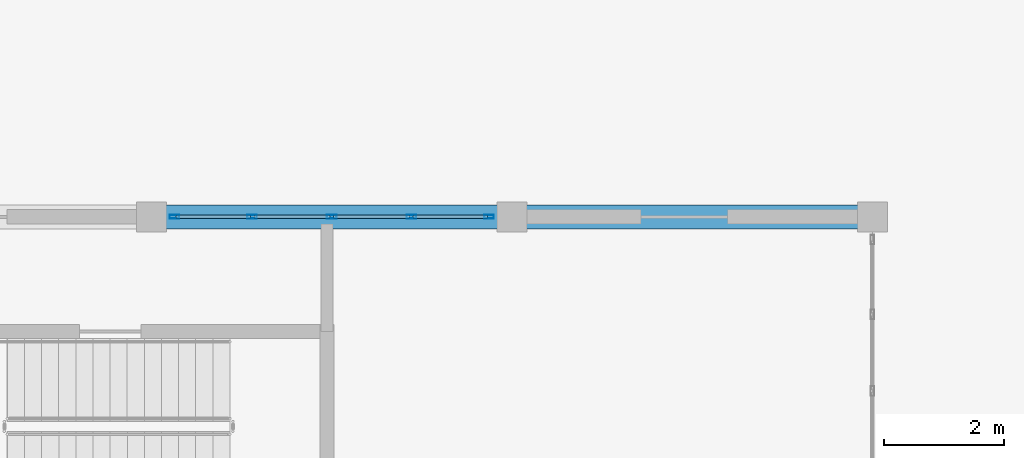
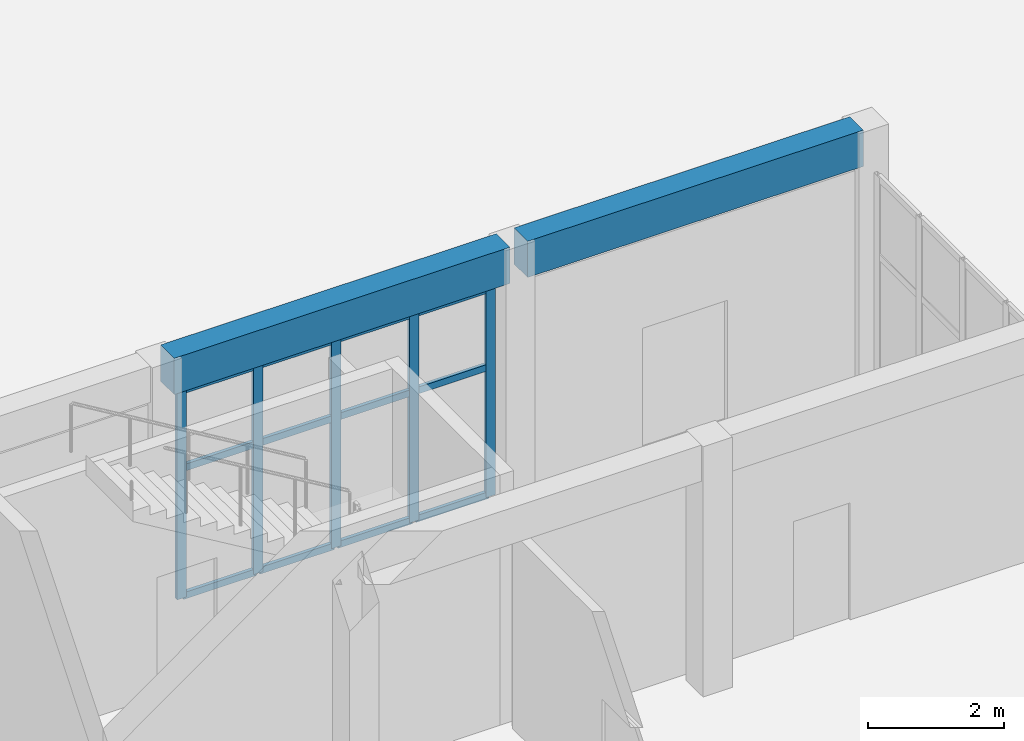
# One storey, part 26 of 132: 17 members, 2 beams, 1 element without a shape of its own.
"""IFC4 building model written with IfcOpenShell, lengths in metres."""

from ifc_helpers import new_model, si_unit, direction, frame, origin, origin_2d, place, context, subcontext, project, spatial, rectangle, hollow_rectangle, extrude, material, material_profile, profile_set, type_object, element, aggregate, save


model = new_model("IFC4")

# Units and contexts
model_context = context("Model", 3, precision=1e-05, world=origin(), true_north=direction((0.0, 1.0)))
body_context = subcontext(model_context, "Body", "Model", "MODEL_VIEW")
ifc_project = project(units=[si_unit("LENGTHUNIT", "METRE"), si_unit("AREAUNIT", "SQUARE_METRE"), si_unit("VOLUMEUNIT", "CUBIC_METRE"), si_unit("PLANEANGLEUNIT", "RADIAN"), si_unit("MASSUNIT", "GRAM", prefix="KILO")], contexts=[model_context])

# Site, building, storey
site_placement = place(None, origin())
site = spatial("IfcSite", under=ifc_project, at=site_placement, CompositionType="ELEMENT")
building_placement = place(site_placement, origin())
building = spatial("IfcBuilding", under=site, at=building_placement, Name="Tanwirah Colonnade Gardens", CompositionType="ELEMENT")
storey_placement = place(building_placement, origin())
storey = spatial("IfcBuildingStorey", under=building, at=storey_placement, Name="L00", CompositionType="ELEMENT", Elevation=0.0)

# Beams
ifc_material_1 = material(Name="Precast concrete C45/55", Category="concrete")
ifc_material_profile_1 = material_profile(ifc_material_1, rectangle(XDim=0.39990234375, YDim=0.64990234375, at=origin_2d()), Name="PC-BM 400x650")
ifc_profile_set_1 = profile_set([ifc_material_profile_1], Name="Precast concrete C45/55")
beam_type = type_object("IfcBeamType", Name="BM-PC400", PredefinedType="BEAM", material=ifc_profile_set_1)
for number, where, z_axis, x_axis, name in (
    (1, (108.14990234375, 28.199951171875, 4.1650390625), (1.0, 0.0, 0.0), (0.0, 1.0, 0.0), "Boulevard Shops E L00 Beam 1.3"),
    (2, (114.14990234375, 28.199951171875, 4.1650390625), (1.0, 0.0, 0.0), (0.0, 1.0, 0.0), "Boulevard Shops E L00 Beam 2.3"),
):
    element("IfcBeam", number, at=place(storey_placement, frame(where, z_axis=z_axis, x_axis=x_axis)), inside=storey, type_object=beam_type, Name=name, PredefinedType="BEAM", context=body_context, shape_type="SweptSolid", body=[
        extrude(rectangle(XDim=0.39990234375, YDim=0.64990234375, at=origin_2d()), origin(), (0.0, 0.0, 1.0), 5.7001953125),
    ])

# Curtain wall, members
ifc_material_2 = material(Name="Bronze-anodised aluminium and solar-control low-E glass", Category="aluminium")
curtain_wall_type = type_object("IfcCurtainWallType", Name="CW-SHP", PredefinedType="NOTDEFINED", material=ifc_material_2)
curtain_wall_placement = place(storey_placement, origin())
curtain_wall = element("IfcCurtainWall", 3, at=curtain_wall_placement, inside=storey, type_object=curtain_wall_type, Name="Curtain Wall CW-SHP-E-L00-N-1", PredefinedType="NOTDEFINED")
ifc_material_3 = material(Name="Bronze-anodised aluminium", Category="aluminium")
ifc_material_profile_2 = material_profile(ifc_material_3, hollow_rectangle(XDim=0.06005859375, YDim=0.159912109375, WallThickness=0.00390625, at=origin_2d()), Name="CW-MUL 60x160x4")
ifc_profile_set_2 = profile_set([ifc_material_profile_2], Name="Bronze-anodised aluminium")
member_type_1 = type_object("IfcMemberType", Name="CWM-60x160", PredefinedType="MULLION", material=ifc_profile_set_2)
member_1_placement = place(storey_placement, frame((108.3798828125, 28.199951171875, 0.0), z_axis=(0.0, 0.0, 1.0), x_axis=(0.0, 1.0, 0.0)))
member_1 = element("IfcMember", 4, at=member_1_placement, type_object=member_type_1, Name="CW-SHP mullion 1", PredefinedType="MULLION", context=body_context, shape_type="SweptSolid", body=[
    extrude(hollow_rectangle(XDim=0.06005859375, YDim=0.159912109375, WallThickness=0.00390625, at=origin_2d()), origin(), (0.0, 0.0, 1.0), 3.75),
])
member_2_placement = place(storey_placement, frame((109.675048828125, 28.199951171875, 0.0), z_axis=(0.0, 0.0, 1.0), x_axis=(0.0, 1.0, 0.0)))
member_2 = element("IfcMember", 5, at=member_2_placement, type_object=member_type_1, Name="CW-SHP mullion 2", PredefinedType="MULLION", context=body_context, shape_type="SweptSolid", body=[
    extrude(hollow_rectangle(XDim=0.06005859375, YDim=0.159912109375, WallThickness=0.00390625, at=origin_2d()), origin(), (0.0, 0.0, 1.0), 3.75),
])
member_3_placement = place(storey_placement, frame((111.0, 28.199951171875, 0.0), z_axis=(0.0, 0.0, 1.0), x_axis=(0.0, 1.0, 0.0)))
member_3 = element("IfcMember", 6, at=member_3_placement, type_object=member_type_1, Name="CW-SHP mullion 3", PredefinedType="MULLION", context=body_context, shape_type="SweptSolid", body=[
    extrude(hollow_rectangle(XDim=0.06005859375, YDim=0.159912109375, WallThickness=0.00390625, at=origin_2d()), origin(), (0.0, 0.0, 1.0), 3.75),
])
member_4_placement = place(storey_placement, frame((112.324951171875, 28.199951171875, 0.0), z_axis=(0.0, 0.0, 1.0), x_axis=(0.0, 1.0, 0.0)))
member_4 = element("IfcMember", 7, at=member_4_placement, type_object=member_type_1, Name="CW-SHP mullion 4", PredefinedType="MULLION", context=body_context, shape_type="SweptSolid", body=[
    extrude(hollow_rectangle(XDim=0.06005859375, YDim=0.159912109375, WallThickness=0.00390625, at=origin_2d()), origin(), (0.0, 0.0, 1.0), 3.75),
])
member_5_placement = place(storey_placement, frame((113.6201171875, 28.199951171875, 0.0), z_axis=(0.0, 0.0, 1.0), x_axis=(0.0, 1.0, 0.0)))
member_5 = element("IfcMember", 8, at=member_5_placement, type_object=member_type_1, Name="CW-SHP mullion 5", PredefinedType="MULLION", context=body_context, shape_type="SweptSolid", body=[
    extrude(hollow_rectangle(XDim=0.06005859375, YDim=0.159912109375, WallThickness=0.00390625, at=origin_2d()), origin(), (0.0, 0.0, 1.0), 3.75),
])
ifc_material_profile_3 = material_profile(ifc_material_3, hollow_rectangle(XDim=0.06005859375, YDim=0.1201171875, WallThickness=0.00390625, at=origin_2d()), Name="CW-TRN 60x120x4")
ifc_profile_set_3 = profile_set([ifc_material_profile_3], Name="Bronze-anodised aluminium")
member_type_2 = type_object("IfcMemberType", Name="CWT-60x120", PredefinedType="USERDEFINED", material=ifc_profile_set_3)
member_6_placement = place(storey_placement, frame((108.409912109375, 28.199951171875, 0.030029296875), z_axis=(1.0, 0.0, 0.0), x_axis=(0.0, 1.0, 0.0)))
member_6 = element("IfcMember", 9, at=member_6_placement, type_object=member_type_2, Name="CW-SHP transom 1.1", ObjectType="TRANSOM", PredefinedType="USERDEFINED", context=body_context, shape_type="SweptSolid", body=[
    extrude(hollow_rectangle(XDim=0.06005859375, YDim=0.1201171875, WallThickness=0.00390625, at=origin_2d()), origin(), (0.0, 0.0, 1.0), 1.235107421875),
])
member_7_placement = place(storey_placement, frame((108.409912109375, 28.199951171875, 2.324951171875), z_axis=(1.0, 0.0, 0.0), x_axis=(0.0, 1.0, 0.0)))
member_7 = element("IfcMember", 10, at=member_7_placement, type_object=member_type_2, Name="CW-SHP transom 1.2", ObjectType="TRANSOM", PredefinedType="USERDEFINED", context=body_context, shape_type="SweptSolid", body=[
    extrude(hollow_rectangle(XDim=0.06005859375, YDim=0.1201171875, WallThickness=0.00390625, at=origin_2d()), origin(), (0.0, 0.0, 1.0), 1.235107421875),
])
member_8_placement = place(storey_placement, frame((108.409912109375, 28.199951171875, 3.719970703125), z_axis=(1.0, 0.0, 0.0), x_axis=(0.0, 1.0, 0.0)))
member_8 = element("IfcMember", 11, at=member_8_placement, type_object=member_type_2, Name="CW-SHP transom 1.3", ObjectType="TRANSOM", PredefinedType="USERDEFINED", context=body_context, shape_type="SweptSolid", body=[
    extrude(hollow_rectangle(XDim=0.06005859375, YDim=0.1201171875, WallThickness=0.00390625, at=origin_2d()), origin(), (0.0, 0.0, 1.0), 1.235107421875),
])
member_9_placement = place(storey_placement, frame((109.705078125, 28.199951171875, 0.030029296875), z_axis=(1.0, 0.0, 0.0), x_axis=(0.0, 1.0, 0.0)))
member_9 = element("IfcMember", 12, at=member_9_placement, type_object=member_type_2, Name="CW-SHP transom 2.1", ObjectType="TRANSOM", PredefinedType="USERDEFINED", context=body_context, shape_type="SweptSolid", body=[
    extrude(hollow_rectangle(XDim=0.06005859375, YDim=0.1201171875, WallThickness=0.00390625, at=origin_2d()), origin(), (0.0, 0.0, 1.0), 1.264892578125),
])
member_10_placement = place(storey_placement, frame((109.705078125, 28.199951171875, 2.324951171875), z_axis=(1.0, 0.0, 0.0), x_axis=(0.0, 1.0, 0.0)))
member_10 = element("IfcMember", 13, at=member_10_placement, type_object=member_type_2, Name="CW-SHP transom 2.2", ObjectType="TRANSOM", PredefinedType="USERDEFINED", context=body_context, shape_type="SweptSolid", body=[
    extrude(hollow_rectangle(XDim=0.06005859375, YDim=0.1201171875, WallThickness=0.00390625, at=origin_2d()), origin(), (0.0, 0.0, 1.0), 1.264892578125),
])
member_11_placement = place(storey_placement, frame((109.705078125, 28.199951171875, 3.719970703125), z_axis=(1.0, 0.0, 0.0), x_axis=(0.0, 1.0, 0.0)))
member_11 = element("IfcMember", 14, at=member_11_placement, type_object=member_type_2, Name="CW-SHP transom 2.3", ObjectType="TRANSOM", PredefinedType="USERDEFINED", context=body_context, shape_type="SweptSolid", body=[
    extrude(hollow_rectangle(XDim=0.06005859375, YDim=0.1201171875, WallThickness=0.00390625, at=origin_2d()), origin(), (0.0, 0.0, 1.0), 1.264892578125),
])
member_12_placement = place(storey_placement, frame((111.030029296875, 28.199951171875, 0.030029296875), z_axis=(1.0, 0.0, 0.0), x_axis=(0.0, 1.0, 0.0)))
member_12 = element("IfcMember", 15, at=member_12_placement, type_object=member_type_2, Name="CW-SHP transom 3.1", ObjectType="TRANSOM", PredefinedType="USERDEFINED", context=body_context, shape_type="SweptSolid", body=[
    extrude(hollow_rectangle(XDim=0.06005859375, YDim=0.1201171875, WallThickness=0.00390625, at=origin_2d()), origin(), (0.0, 0.0, 1.0), 1.264892578125),
])
member_13_placement = place(storey_placement, frame((111.030029296875, 28.199951171875, 2.324951171875), z_axis=(1.0, 0.0, 0.0), x_axis=(0.0, 1.0, 0.0)))
member_13 = element("IfcMember", 16, at=member_13_placement, type_object=member_type_2, Name="CW-SHP transom 3.2", ObjectType="TRANSOM", PredefinedType="USERDEFINED", context=body_context, shape_type="SweptSolid", body=[
    extrude(hollow_rectangle(XDim=0.06005859375, YDim=0.1201171875, WallThickness=0.00390625, at=origin_2d()), origin(), (0.0, 0.0, 1.0), 1.264892578125),
])
member_14_placement = place(storey_placement, frame((111.030029296875, 28.199951171875, 3.719970703125), z_axis=(1.0, 0.0, 0.0), x_axis=(0.0, 1.0, 0.0)))
member_14 = element("IfcMember", 17, at=member_14_placement, type_object=member_type_2, Name="CW-SHP transom 3.3", ObjectType="TRANSOM", PredefinedType="USERDEFINED", context=body_context, shape_type="SweptSolid", body=[
    extrude(hollow_rectangle(XDim=0.06005859375, YDim=0.1201171875, WallThickness=0.00390625, at=origin_2d()), origin(), (0.0, 0.0, 1.0), 1.264892578125),
])
member_15_placement = place(storey_placement, frame((112.35498046875, 28.199951171875, 0.030029296875), z_axis=(1.0, 0.0, 0.0), x_axis=(0.0, 1.0, 0.0)))
member_15 = element("IfcMember", 18, at=member_15_placement, type_object=member_type_2, Name="CW-SHP transom 4.1", ObjectType="TRANSOM", PredefinedType="USERDEFINED", context=body_context, shape_type="SweptSolid", body=[
    extrude(hollow_rectangle(XDim=0.06005859375, YDim=0.1201171875, WallThickness=0.00390625, at=origin_2d()), origin(), (0.0, 0.0, 1.0), 1.235107421875),
])
member_16_placement = place(storey_placement, frame((112.35498046875, 28.199951171875, 2.324951171875), z_axis=(1.0, 0.0, 0.0), x_axis=(0.0, 1.0, 0.0)))
member_16 = element("IfcMember", 19, at=member_16_placement, type_object=member_type_2, Name="CW-SHP transom 4.2", ObjectType="TRANSOM", PredefinedType="USERDEFINED", context=body_context, shape_type="SweptSolid", body=[
    extrude(hollow_rectangle(XDim=0.06005859375, YDim=0.1201171875, WallThickness=0.00390625, at=origin_2d()), origin(), (0.0, 0.0, 1.0), 1.235107421875),
])
member_17_placement = place(storey_placement, frame((112.35498046875, 28.199951171875, 3.719970703125), z_axis=(1.0, 0.0, 0.0), x_axis=(0.0, 1.0, 0.0)))
member_17 = element("IfcMember", 20, at=member_17_placement, type_object=member_type_2, Name="CW-SHP transom 4.3", ObjectType="TRANSOM", PredefinedType="USERDEFINED", context=body_context, shape_type="SweptSolid", body=[
    extrude(hollow_rectangle(XDim=0.06005859375, YDim=0.1201171875, WallThickness=0.00390625, at=origin_2d()), origin(), (0.0, 0.0, 1.0), 1.235107421875),
])
aggregate(curtain_wall, [member_1, member_2, member_3, member_4, member_5, member_6, member_7, member_8, member_9, member_10, member_11, member_12, member_13, member_14, member_15, member_16, member_17])

save(model, "model.ifc")
